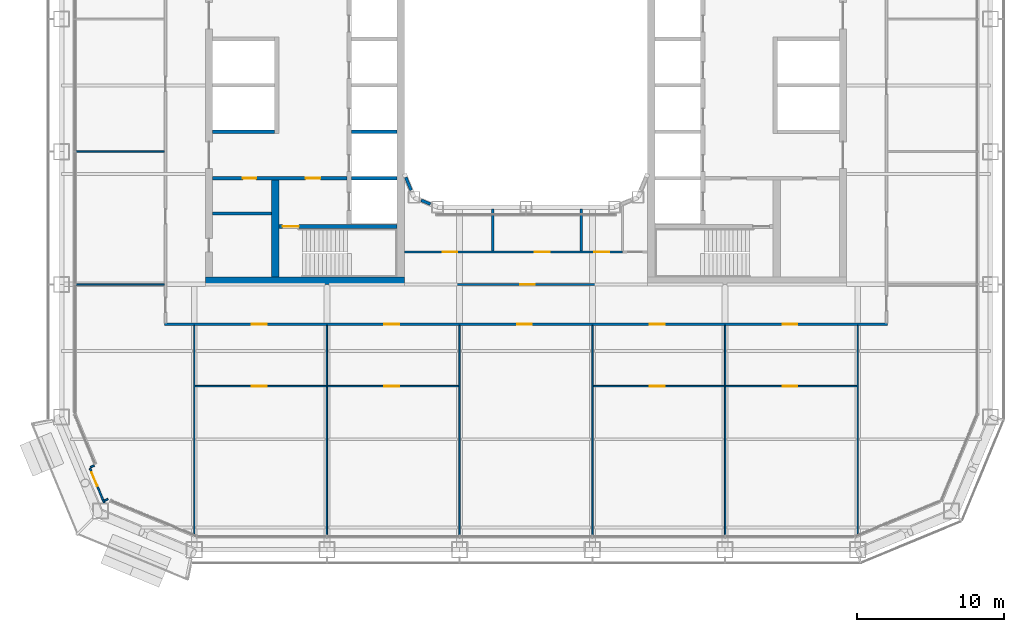
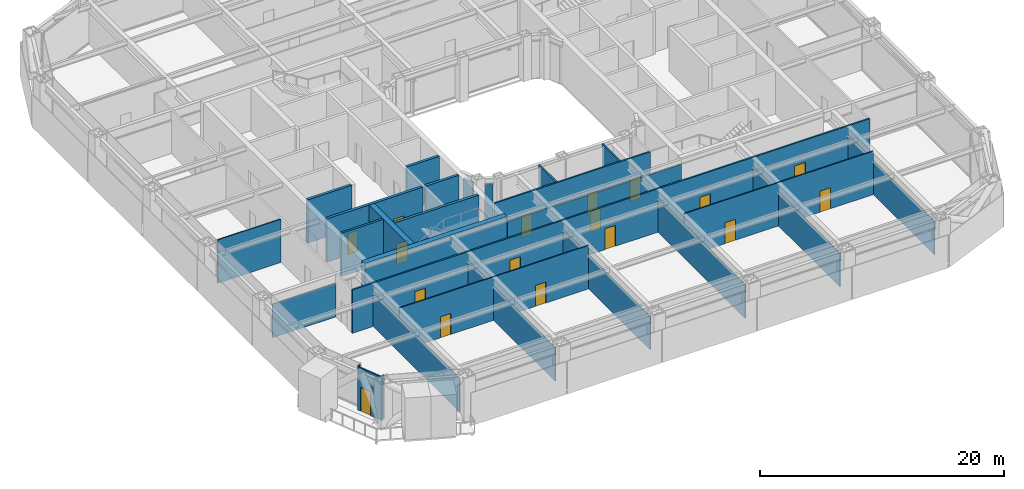
# One storey, part 13 of 27: 30 walls, 17 doors, 17 openings.
"""IFC4 building model written with IfcOpenShell, lengths in metres."""

from ifc_helpers import new_model, si_unit, direction, frame, frame_2d, origin, place, context, subcontext, project, spatial, rectangle, extrude, material, layer, layer_set, type_object, element, fill, save


model = new_model("IFC4")

# Units and contexts
model_context = context("Model", 3, precision=1e-05, world=origin(), true_north=direction((0.0, 1.0)))
body_context = subcontext(model_context, "Body", "Model", "MODEL_VIEW")
ifc_project = project(units=[si_unit("LENGTHUNIT", "METRE"), si_unit("AREAUNIT", "SQUARE_METRE"), si_unit("VOLUMEUNIT", "CUBIC_METRE"), si_unit("PLANEANGLEUNIT", "RADIAN"), si_unit("MASSUNIT", "GRAM", prefix="KILO")], contexts=[model_context])

# Site, building, storey
site_placement = place(None, origin())
site = spatial("IfcSite", under=ifc_project, at=site_placement, CompositionType="ELEMENT")
building_placement = place(site_placement, origin())
building = spatial("IfcBuilding", under=site, at=building_placement, Name="Siwar Civic Tower", CompositionType="ELEMENT")
storey_placement = place(building_placement, frame((0.0, 0.0, 35.699951171875)))
storey = spatial("IfcBuildingStorey", under=building, at=storey_placement, Name="L07", CompositionType="ELEMENT", Elevation=35.699951171875)

# Wall
ifc_material_1 = material(Name="Gypsum board on steel studs", Category="steel")
ifc_layer_1 = layer(ifc_material_1, 0.199951171875)
ifc_layer_set_1 = layer_set([ifc_layer_1], Name="Gypsum board on steel studs")
wall_type_1 = type_object("IfcWallType", Name="CORE-PARTITION-200", PredefinedType="PARTITIONING", material=ifc_layer_set_1)
wall_1_placement = place(storey_placement, frame((-17.25, -8.699951171875, 0.0), z_axis=(0.0, 0.0, 1.0), x_axis=(-1.0, 0.0, 0.0)))
element("IfcWall", 1, at=wall_1_placement, inside=storey, type_object=wall_type_1, Name="Core partition W", PredefinedType="PARTITIONING", context=body_context, shape_type="SweptSolid", body=[
    extrude(rectangle(XDim=4.0, YDim=0.199951171875, at=frame_2d((2.0, 0.0))), origin(), (0.0, 0.0, 1.0), 4.35009765625),
])

# Wall, openings, doors
ifc_material_2 = material(Name="Concrete C60/75", Category="concrete")
ifc_layer_2 = layer(ifc_material_2, 0.25)
ifc_layer_set_2 = layer_set([ifc_layer_2], Name="Concrete C60/75")
wall_type_2 = type_object("IfcWallType", Name="CORE-WALL-RC250", PredefinedType="SHEAR", material=ifc_layer_set_2)
wall_2_placement = place(storey_placement, frame((-12.14990234375, -6.300048828125, 0.0), z_axis=(0.0, 0.0, 1.0), x_axis=(-1.0, 0.0, 0.0)))
wall_2 = element("IfcWall", 2, at=wall_2_placement, inside=storey, type_object=wall_type_2, Name="Core wall W", PredefinedType="SHEAR", context=body_context, shape_type="SweptSolid", body=[
    extrude(rectangle(XDim=9.10009765625, YDim=0.25, at=frame_2d((4.550048828125, 0.0))), origin(), (0.0, 0.0, 1.0), 4.35009765625),
])
opening_1_placement = place(wall_2_placement, frame((1.800048828125, 0.0, 0.0)))
opening_1 = element("IfcOpeningElement", 3, at=opening_1_placement, cuts=wall_2, Name="Opening L07-CW02", PredefinedType="OPENING", context=body_context, shape_type="SweptSolid", body=[
    extrude(rectangle(XDim=1.0, YDim=2.10009765625, at=frame_2d((0.5, 1.050048828125))), frame((0.0, 0.135009765625, 0.0), z_axis=(0.0, -1.0, 0.0), x_axis=(1.0, 0.0, 0.0)), (0.0, 0.0, 1.0), 0.27001953125),
])
opening_2_placement = place(wall_2_placement, frame((6.14990234375, 0.0, 0.0)))
opening_2 = element("IfcOpeningElement", 4, at=opening_2_placement, cuts=wall_2, Name="Opening L07-CW14", PredefinedType="OPENING", context=body_context, shape_type="SweptSolid", body=[
    extrude(rectangle(XDim=0.89990234375, YDim=2.10009765625, at=frame_2d((0.449951171875, 1.050048828125))), frame((0.0, 0.135009765625, 0.0), z_axis=(0.0, -1.0, 0.0), x_axis=(1.0, 0.0, 0.0)), (0.0, 0.0, 1.0), 0.27001953125),
])
ifc_material_3 = material(Name="Steel door leaf", Category="steel")
door_type_1 = type_object("IfcDoorType", Name="CORE-DOOR-FD30S", OperationType="SINGLE_SWING_LEFT", PredefinedType="DOOR", material=ifc_material_3)
door_1_placement = place(opening_1_placement, origin())
door_1 = element("IfcDoor", 5, at=door_1_placement, inside=storey, type_object=door_type_1, Name="Service lobby door L07-CW02", OperationType="SINGLE_SWING_RIGHT", OverallHeight=2.10009765625, OverallWidth=1.0, PredefinedType="DOOR", context=body_context, shape_type="SweptSolid", body=[
    extrude(rectangle(XDim=1.0, YDim=2.10009765625, at=frame_2d((0.5, 1.050048828125))), frame((0.0, 0.02490234375, 0.0), z_axis=(0.0, -1.0, 0.0), x_axis=(1.0, 0.0, 0.0)), (0.0, 0.0, 1.0), 0.050048828125),
])
fill(opening_1, door_1)
ifc_material_4 = material(Name="Steel door leaf", Category="steel")
door_type_2 = type_object("IfcDoorType", Name="CORE-DOOR-ROOM", OperationType="SINGLE_SWING_LEFT", PredefinedType="DOOR", material=ifc_material_4)
door_2_placement = place(opening_2_placement, origin())
door_2 = element("IfcDoor", 6, at=door_2_placement, inside=storey, type_object=door_type_2, Name="Core room door L07-CW14", OperationType="SINGLE_SWING_RIGHT", OverallHeight=2.10009765625, OverallWidth=0.89990234375, PredefinedType="DOOR", context=body_context, shape_type="SweptSolid", body=[
    extrude(rectangle(XDim=0.89990234375, YDim=2.10009765625, at=frame_2d((0.449951171875, 1.050048828125))), frame((0.0, 0.02490234375, 0.0), z_axis=(0.0, -1.0, 0.0), x_axis=(1.0, 0.0, 0.0)), (0.0, 0.0, 1.0), 0.050048828125),
])
fill(opening_2, door_2)

# Walls
wall_3_placement = place(storey_placement, frame((-17.050048828125, -3.14990234375, 0.0), z_axis=(0.0, 0.0, 1.0), x_axis=(-1.0, 0.0, 0.0)))
element("IfcWall", 7, at=wall_3_placement, inside=storey, type_object=wall_type_2, Name="Core wall W", PredefinedType="SHEAR", context=body_context, shape_type="SweptSolid", body=[
    extrude(rectangle(XDim=4.199951171875, YDim=0.25, at=frame_2d((2.10009765625, 0.0))), origin(), (0.0, 0.0, 1.0), 4.35009765625),
])
for number, where, z_axis, x_axis, name in (
    (8, (-8.75, -3.14990234375, 0.0), (0.0, 0.0, 1.0), (-1.0, 0.0, 0.0), "Core wall W"),
    (9, (-8.75, -6.300048828125, 0.0), (0.0, 0.0, 1.0), (-1.0, 0.0, 0.0), "Core wall W"),
):
    element("IfcWall", number, at=place(storey_placement, frame(where, z_axis=z_axis, x_axis=x_axis)), inside=storey, type_object=wall_type_2, Name=name, PredefinedType="SHEAR", context=body_context, shape_type="SweptSolid", body=[
        extrude(rectangle(XDim=3.10009765625, YDim=0.25, at=frame_2d((1.550048828125, 0.0))), origin(), (0.0, 0.0, 1.0), 4.35009765625),
    ])

# Wall, opening, door
wall_4_placement = place(storey_placement, frame((-8.75, -9.574951171875, 0.0), z_axis=(0.0, 0.0, 1.0), x_axis=(-1.0, 0.0, 0.0)))
wall_4 = element("IfcWall", 10, at=wall_4_placement, inside=storey, type_object=wall_type_2, Name="Core wall W", PredefinedType="SHEAR", context=body_context, shape_type="SweptSolid", body=[
    extrude(rectangle(XDim=8.0, YDim=0.25, at=frame_2d((4.0, 0.0))), origin(), (0.0, 0.0, 1.0), 4.35009765625),
])
opening_3_placement = place(wall_4_placement, frame((6.64990234375, 0.0, 0.0)))
opening_3 = element("IfcOpeningElement", 11, at=opening_3_placement, cuts=wall_4, Name="Opening L07-CW04", PredefinedType="OPENING", context=body_context, shape_type="SweptSolid", body=[
    extrude(rectangle(XDim=1.10009765625, YDim=2.10009765625, at=frame_2d((0.550048828125, 1.050048828125))), frame((0.0, 0.135009765625, 0.0), z_axis=(0.0, -1.0, 0.0), x_axis=(1.0, 0.0, 0.0)), (0.0, 0.0, 1.0), 0.27001953125),
])
ifc_material_5 = material(Name="Steel door leaf", Category="steel")
door_type_3 = type_object("IfcDoorType", Name="CORE-DOOR-FD60S", OperationType="SINGLE_SWING_LEFT", PredefinedType="DOOR", material=ifc_material_5)
door_3_placement = place(opening_3_placement, origin())
door_3 = element("IfcDoor", 12, at=door_3_placement, inside=storey, type_object=door_type_3, Name="Stair door L07-CW04", OperationType="SINGLE_SWING_LEFT", OverallHeight=2.10009765625, OverallWidth=1.10009765625, PredefinedType="DOOR", context=body_context, shape_type="SweptSolid", body=[
    extrude(rectangle(XDim=1.10009765625, YDim=2.10009765625, at=frame_2d((0.550048828125, 1.050048828125))), frame((0.0, 0.02490234375, 0.0), z_axis=(0.0, -1.0, 0.0), x_axis=(1.0, 0.0, 0.0)), (0.0, 0.0, 1.0), 0.050048828125),
])
fill(opening_3, door_3)

# Walls
ifc_material_6 = material(Name="Concrete C60/75", Category="concrete")
ifc_layer_3 = layer(ifc_material_6, 0.5)
ifc_layer_set_3 = layer_set([ifc_layer_3], Name="Concrete C60/75")
wall_type_3 = type_object("IfcWallType", Name="CORE-WALL-RC500", PredefinedType="SHEAR", material=ifc_layer_set_3)
wall_5_placement = place(storey_placement, frame((-17.0, -13.0, 0.0), z_axis=(0.0, 0.0, 1.0), x_axis=(0.0, 1.0, 0.0)))
element("IfcWall", 13, at=wall_5_placement, inside=storey, type_object=wall_type_3, Name="Core wall W", PredefinedType="SHEAR", context=body_context, shape_type="SweptSolid", body=[
    extrude(rectangle(XDim=6.574951171875, YDim=0.5, at=frame_2d((3.28759765625, 0.0))), origin(), (0.0, 0.0, 1.0), 4.35009765625),
])
wall_6_placement = place(storey_placement, frame((-8.25, -13.25, 0.0), z_axis=(0.0, 0.0, 1.0), x_axis=(-1.0, 0.0, 0.0)))
element("IfcWall", 14, at=wall_6_placement, inside=storey, type_object=wall_type_3, Name="Core wall W", PredefinedType="SHEAR", context=body_context, shape_type="SweptSolid", body=[
    extrude(rectangle(XDim=13.5, YDim=0.5, at=frame_2d((6.75, 0.0))), origin(), (0.0, 0.0, 1.0), 4.35009765625),
])

# Wall, openings, doors
ifc_material_7 = material(Name="Gypsum board on steel studs", Category="steel")
ifc_layer_4 = layer(ifc_material_7, 0.14990234375)
ifc_layer_set_4 = layer_set([ifc_layer_4], Name="Gypsum board on steel studs")
wall_type_4 = type_object("IfcWallType", Name="CORRIDOR PARTITION 150 EI 30", PredefinedType="PARTITIONING", material=ifc_layer_set_4)
wall_7_placement = place(storey_placement, frame((-24.52490234375, -16.199951171875, 0.0), z_axis=(0.0, 0.0, 1.0), x_axis=(1.0, 0.0, 0.0)))
wall_7 = element("IfcWall", 15, at=wall_7_placement, inside=storey, type_object=wall_type_4, Name="L07/wall/P03", PredefinedType="PARTITIONING", context=body_context, shape_type="SweptSolid", body=[
    extrude(rectangle(XDim=49.0498046875, YDim=0.14990234375, at=frame_2d((24.52490234375, 0.0))), origin(), (0.0, 0.0, 1.0), 4.35009765625),
])
opening_4_placement = place(wall_7_placement, frame((5.925048828125, 0.0, 0.0)))
opening_4 = element("IfcOpeningElement", 16, at=opening_4_placement, cuts=wall_7, Name="Opening D1", PredefinedType="OPENING", context=body_context, shape_type="SweptSolid", body=[
    extrude(rectangle(XDim=1.0, YDim=2.10009765625, at=frame_2d((0.5, 1.050048828125))), frame((0.0, 0.0849609375, 0.0), z_axis=(0.0, -1.0, 0.0), x_axis=(1.0, 0.0, 0.0)), (0.0, 0.0, 1.0), 0.169921875),
])
opening_5_placement = place(wall_7_placement, frame((14.925048828125, 0.0, 0.0)))
opening_5 = element("IfcOpeningElement", 17, at=opening_5_placement, cuts=wall_7, Name="Opening D1", PredefinedType="OPENING", context=body_context, shape_type="SweptSolid", body=[
    extrude(rectangle(XDim=1.0, YDim=2.10009765625, at=frame_2d((0.5, 1.050048828125))), frame((0.0, 0.0849609375, 0.0), z_axis=(0.0, -1.0, 0.0), x_axis=(1.0, 0.0, 0.0)), (0.0, 0.0, 1.0), 0.169921875),
])
opening_6_placement = place(wall_7_placement, frame((23.925048828125, 0.0, 0.0)))
opening_6 = element("IfcOpeningElement", 18, at=opening_6_placement, cuts=wall_7, Name="Opening D1", PredefinedType="OPENING", context=body_context, shape_type="SweptSolid", body=[
    extrude(rectangle(XDim=1.0, YDim=2.10009765625, at=frame_2d((0.5, 1.050048828125))), frame((0.0, 0.0849609375, 0.0), z_axis=(0.0, -1.0, 0.0), x_axis=(1.0, 0.0, 0.0)), (0.0, 0.0, 1.0), 0.169921875),
])
opening_7_placement = place(wall_7_placement, frame((32.925048828125, 0.0, 0.0)))
opening_7 = element("IfcOpeningElement", 19, at=opening_7_placement, cuts=wall_7, Name="Opening D1", PredefinedType="OPENING", context=body_context, shape_type="SweptSolid", body=[
    extrude(rectangle(XDim=1.0, YDim=2.10009765625, at=frame_2d((0.5, 1.050048828125))), frame((0.0, 0.0849609375, 0.0), z_axis=(0.0, -1.0, 0.0), x_axis=(1.0, 0.0, 0.0)), (0.0, 0.0, 1.0), 0.169921875),
])
opening_8_placement = place(wall_7_placement, frame((41.925048828125, 0.0, 0.0)))
opening_8 = element("IfcOpeningElement", 20, at=opening_8_placement, cuts=wall_7, Name="Opening D1", PredefinedType="OPENING", context=body_context, shape_type="SweptSolid", body=[
    extrude(rectangle(XDim=1.0, YDim=2.10009765625, at=frame_2d((0.5, 1.050048828125))), frame((0.0, 0.0849609375, 0.0), z_axis=(0.0, -1.0, 0.0), x_axis=(1.0, 0.0, 0.0)), (0.0, 0.0, 1.0), 0.169921875),
])
ifc_material_8 = material(Name="Timber, painted", Category="wood")
door_type_4 = type_object("IfcDoorType", Name="DOOR 1000 X 2100 FD30", OperationType="SINGLE_SWING_LEFT", PredefinedType="DOOR", material=ifc_material_8)
door_4_placement = place(opening_4_placement, origin())
door_4 = element("IfcDoor", 21, at=door_4_placement, inside=storey, type_object=door_type_4, Name="L07-D11", OperationType="SINGLE_SWING_LEFT", OverallHeight=2.10009765625, OverallWidth=1.0, PredefinedType="DOOR", context=body_context, shape_type="SweptSolid", body=[
    extrude(rectangle(XDim=1.0, YDim=2.10009765625, at=frame_2d((0.5, 1.050048828125))), frame((0.0, 0.02490234375, 0.0), z_axis=(0.0, -1.0, 0.0), x_axis=(1.0, 0.0, 0.0)), (0.0, 0.0, 1.0), 0.050048828125),
])
fill(opening_4, door_4)
door_5_placement = place(opening_5_placement, origin())
door_5 = element("IfcDoor", 22, at=door_5_placement, inside=storey, type_object=door_type_4, Name="L07-D13", OperationType="SINGLE_SWING_LEFT", OverallHeight=2.10009765625, OverallWidth=1.0, PredefinedType="DOOR", context=body_context, shape_type="SweptSolid", body=[
    extrude(rectangle(XDim=1.0, YDim=2.10009765625, at=frame_2d((0.5, 1.050048828125))), frame((0.0, 0.02490234375, 0.0), z_axis=(0.0, -1.0, 0.0), x_axis=(1.0, 0.0, 0.0)), (0.0, 0.0, 1.0), 0.050048828125),
])
fill(opening_5, door_5)
door_6_placement = place(opening_6_placement, origin())
door_6 = element("IfcDoor", 23, at=door_6_placement, inside=storey, type_object=door_type_4, Name="L07-D15", OperationType="SINGLE_SWING_LEFT", OverallHeight=2.10009765625, OverallWidth=1.0, PredefinedType="DOOR", context=body_context, shape_type="SweptSolid", body=[
    extrude(rectangle(XDim=1.0, YDim=2.10009765625, at=frame_2d((0.5, 1.050048828125))), frame((0.0, 0.02490234375, 0.0), z_axis=(0.0, -1.0, 0.0), x_axis=(1.0, 0.0, 0.0)), (0.0, 0.0, 1.0), 0.050048828125),
])
fill(opening_6, door_6)
door_7_placement = place(opening_7_placement, origin())
door_7 = element("IfcDoor", 24, at=door_7_placement, inside=storey, type_object=door_type_4, Name="L07-D16", OperationType="SINGLE_SWING_RIGHT", OverallHeight=2.10009765625, OverallWidth=1.0, PredefinedType="DOOR", context=body_context, shape_type="SweptSolid", body=[
    extrude(rectangle(XDim=1.0, YDim=2.10009765625, at=frame_2d((0.5, 1.050048828125))), frame((0.0, 0.02490234375, 0.0), z_axis=(0.0, -1.0, 0.0), x_axis=(1.0, 0.0, 0.0)), (0.0, 0.0, 1.0), 0.050048828125),
])
fill(opening_7, door_7)
door_8_placement = place(opening_8_placement, origin())
door_8 = element("IfcDoor", 25, at=door_8_placement, inside=storey, type_object=door_type_4, Name="L07-D18", OperationType="SINGLE_SWING_RIGHT", OverallHeight=2.10009765625, OverallWidth=1.0, PredefinedType="DOOR", context=body_context, shape_type="SweptSolid", body=[
    extrude(rectangle(XDim=1.0, YDim=2.10009765625, at=frame_2d((0.5, 1.050048828125))), frame((0.0, 0.02490234375, 0.0), z_axis=(0.0, -1.0, 0.0), x_axis=(1.0, 0.0, 0.0)), (0.0, 0.0, 1.0), 0.050048828125),
])
fill(opening_8, door_8)

# Wall, opening, door
wall_8_placement = place(storey_placement, frame((-8.25, -13.5, 0.0), z_axis=(0.0, 0.0, 1.0), x_axis=(1.0, 0.0, 0.0)))
wall_8 = element("IfcWall", 26, at=wall_8_placement, inside=storey, type_object=wall_type_4, Name="L07/wall/P06", PredefinedType="PARTITIONING", context=body_context, shape_type="SweptSolid", body=[
    extrude(rectangle(XDim=16.5, YDim=0.14990234375, at=frame_2d((8.25, 0.0))), origin(), (0.0, 0.0, 1.0), 3.85009765625),
])
opening_9_placement = place(wall_8_placement, frame((7.85009765625, 0.0, 0.0)))
opening_9 = element("IfcOpeningElement", 27, at=opening_9_placement, cuts=wall_8, Name="Opening D1", PredefinedType="OPENING", context=body_context, shape_type="SweptSolid", body=[
    extrude(rectangle(XDim=1.0, YDim=2.10009765625, at=frame_2d((0.5, 1.050048828125))), frame((0.0, 0.0849609375, 0.0), z_axis=(0.0, -1.0, 0.0), x_axis=(1.0, 0.0, 0.0)), (0.0, 0.0, 1.0), 0.169921875),
])
door_9_placement = place(opening_9_placement, origin())
door_9 = element("IfcDoor", 28, at=door_9_placement, inside=storey, type_object=door_type_4, Name="L07-D33", OperationType="SINGLE_SWING_LEFT", OverallHeight=2.10009765625, OverallWidth=1.0, PredefinedType="DOOR", context=body_context, shape_type="SweptSolid", body=[
    extrude(rectangle(XDim=1.0, YDim=2.10009765625, at=frame_2d((0.5, 1.050048828125))), frame((0.0, 0.02490234375, 0.0), z_axis=(0.0, -1.0, 0.0), x_axis=(1.0, 0.0, 0.0)), (0.0, 0.0, 1.0), 0.050048828125),
])
fill(opening_9, door_9)

# Wall, openings, doors
wall_9_placement = place(storey_placement, frame((-8.25, -11.300048828125, 0.0), z_axis=(0.0, 0.0, 1.0), x_axis=(1.0, 0.0, 0.0)))
wall_9 = element("IfcWall", 29, at=wall_9_placement, inside=storey, type_object=wall_type_4, Name="L07/wall/P07", PredefinedType="PARTITIONING", context=body_context, shape_type="SweptSolid", body=[
    extrude(rectangle(XDim=14.7900390625, YDim=0.14990234375, at=frame_2d((7.39501953125, 0.0))), origin(), (0.0, 0.0, 1.0), 4.35009765625),
])
opening_10_placement = place(wall_9_placement, frame((2.60009765625, 0.0, 0.0)))
opening_10 = element("IfcOpeningElement", 30, at=opening_10_placement, cuts=wall_9, Name="Opening D3", PredefinedType="OPENING", context=body_context, shape_type="SweptSolid", body=[
    extrude(rectangle(XDim=1.0, YDim=2.10009765625, at=frame_2d((0.5, 1.050048828125))), frame((0.0, 0.0849609375, 0.0), z_axis=(0.0, -1.0, 0.0), x_axis=(1.0, 0.0, 0.0)), (0.0, 0.0, 1.0), 0.169921875),
])
opening_11_placement = place(wall_9_placement, frame((8.85009765625, 0.0, 0.0)))
opening_11 = element("IfcOpeningElement", 31, at=opening_11_placement, cuts=wall_9, Name="Opening D3", PredefinedType="OPENING", context=body_context, shape_type="SweptSolid", body=[
    extrude(rectangle(XDim=1.0, YDim=2.10009765625, at=frame_2d((0.5, 1.050048828125))), frame((0.0, 0.0849609375, 0.0), z_axis=(0.0, -1.0, 0.0), x_axis=(1.0, 0.0, 0.0)), (0.0, 0.0, 1.0), 0.169921875),
])
opening_12_placement = place(wall_9_placement, frame((12.889892578125, 0.0, 0.0)))
opening_12 = element("IfcOpeningElement", 32, at=opening_12_placement, cuts=wall_9, Name="Opening D3", PredefinedType="OPENING", context=body_context, shape_type="SweptSolid", body=[
    extrude(rectangle(XDim=1.0, YDim=2.10009765625, at=frame_2d((0.5, 1.050048828125))), frame((0.0, 0.0849609375, 0.0), z_axis=(0.0, -1.0, 0.0), x_axis=(1.0, 0.0, 0.0)), (0.0, 0.0, 1.0), 0.169921875),
])
ifc_material_9 = material(Name="Timber, painted", Category="wood")
door_type_5 = type_object("IfcDoorType", Name="DOOR 1000 X 2100 WC", OperationType="SINGLE_SWING_LEFT", PredefinedType="DOOR", material=ifc_material_9)
door_10_placement = place(opening_10_placement, origin())
door_10 = element("IfcDoor", 33, at=door_10_placement, inside=storey, type_object=door_type_5, Name="L07-D34", OperationType="SINGLE_SWING_RIGHT", OverallHeight=2.10009765625, OverallWidth=1.0, PredefinedType="DOOR", context=body_context, shape_type="SweptSolid", body=[
    extrude(rectangle(XDim=1.0, YDim=2.10009765625, at=frame_2d((0.5, 1.050048828125))), frame((0.0, 0.02490234375, 0.0), z_axis=(0.0, -1.0, 0.0), x_axis=(1.0, 0.0, 0.0)), (0.0, 0.0, 1.0), 0.050048828125),
])
fill(opening_10, door_10)
door_11_placement = place(opening_11_placement, origin())
door_11 = element("IfcDoor", 34, at=door_11_placement, inside=storey, type_object=door_type_5, Name="L07-D35", OperationType="SINGLE_SWING_LEFT", OverallHeight=2.10009765625, OverallWidth=1.0, PredefinedType="DOOR", context=body_context, shape_type="SweptSolid", body=[
    extrude(rectangle(XDim=1.0, YDim=2.10009765625, at=frame_2d((0.5, 1.050048828125))), frame((0.0, 0.02490234375, 0.0), z_axis=(0.0, -1.0, 0.0), x_axis=(1.0, 0.0, 0.0)), (0.0, 0.0, 1.0), 0.050048828125),
])
fill(opening_11, door_11)
door_12_placement = place(opening_12_placement, origin())
door_12 = element("IfcDoor", 35, at=door_12_placement, inside=storey, type_object=door_type_5, Name="L07-D36", OperationType="SINGLE_SWING_RIGHT", OverallHeight=2.10009765625, OverallWidth=1.0, PredefinedType="DOOR", context=body_context, shape_type="SweptSolid", body=[
    extrude(rectangle(XDim=1.0, YDim=2.10009765625, at=frame_2d((0.5, 1.050048828125))), frame((0.0, 0.02490234375, 0.0), z_axis=(0.0, -1.0, 0.0), x_axis=(1.0, 0.0, 0.0)), (0.0, 0.0, 1.0), 0.050048828125),
])
fill(opening_12, door_12)

# Walls
for number, where, z_axis, x_axis, name in (
    (36, (-2.25, -11.22509765625, 0.0), (0.0, 0.0, 1.0), (0.0, 1.0, 0.0), "L07/wall/P31"),
    (37, (3.75, -11.22509765625, 0.0), (0.0, 0.0, 1.0), (0.0, 1.0, 0.0), "L07/wall/P32"),
):
    element("IfcWall", number, at=place(storey_placement, frame(where, z_axis=z_axis, x_axis=x_axis)), inside=storey, type_object=wall_type_4, Name=name, PredefinedType="PARTITIONING", context=body_context, shape_type="SweptSolid", body=[
        extrude(rectangle(XDim=2.85498046875, YDim=0.14990234375, at=frame_2d((1.427490234375, 0.0))), origin(), (0.0, 0.0, 1.0), 4.35009765625),
    ])
ifc_material_10 = material(Name="Aluminium clad insulated panel", Category="aluminium")
ifc_layer_5 = layer(ifc_material_10, 0.1201171875)
ifc_layer_set_5 = layer_set([ifc_layer_5], Name="Aluminium clad insulated panel")
wall_type_5 = type_object("IfcWallType", Name="ENV-WALL-BAL", PredefinedType="STANDARD", material=ifc_layer_set_5)
wall_10_placement = place(storey_placement, frame((-29.284912109375, -25.783447265625, 0.0), z_axis=(0.0, 0.0, 1.0), x_axis=(-0.923772220778, -0.382942403136, 0.0)))
element("IfcWall", 38, at=wall_10_placement, inside=storey, type_object=wall_type_5, Name="Balcony door wall return SW1", PredefinedType="STANDARD", context=body_context, shape_type="SweptSolid", body=[
    extrude(rectangle(XDim=0.27978515625, YDim=0.1201171875, at=frame_2d((0.139892578125, 0.0))), origin(), (0.0, 0.0, 1.0), 4.35009765625),
])
wall_11_placement = place(storey_placement, frame((-28.3427734375, -28.057861328125, 0.0), z_axis=(0.0, 0.0, 1.0), x_axis=(-0.923899985553, -0.382634050621, 0.0)))
element("IfcWall", 39, at=wall_11_placement, inside=storey, type_object=wall_type_5, Name="Balcony door wall return SW1", PredefinedType="STANDARD", context=body_context, shape_type="SweptSolid", body=[
    extrude(rectangle(XDim=0.280029296875, YDim=0.1201171875, at=frame_2d((0.14013671875, 0.0))), origin(), (0.0, 0.0, 1.0), 4.35009765625),
])

# Wall, opening, door
wall_12_placement = place(storey_placement, frame((-29.575927734375, -25.968994140625, 0.0), z_axis=(0.0, 0.0, 1.0), x_axis=(0.382640634603, -0.923897258763, 0.0)))
wall_12 = element("IfcWall", 40, at=wall_12_placement, inside=storey, type_object=wall_type_5, Name="Balcony door wall SW1", PredefinedType="STANDARD", context=body_context, shape_type="SweptSolid", body=[
    extrude(rectangle(XDim=2.5380859375, YDim=0.1201171875, at=frame_2d((1.26904296875, 0.0))), origin(), (0.0, 0.0, 1.0), 4.35009765625),
])
opening_13_placement = place(wall_12_placement, frame((0.300048828125, 0.0, 0.0)))
opening_13 = element("IfcOpeningElement", 41, at=opening_13_placement, cuts=wall_12, Name="Opening D-BAL", PredefinedType="OPENING", context=body_context, shape_type="SweptSolid", body=[
    extrude(rectangle(XDim=1.0, YDim=2.39990234375, at=frame_2d((0.5, 1.199951171875))), frame((0.0, 0.070068359375, 0.0), z_axis=(0.0, -1.0, 0.0), x_axis=(1.0, 0.0, 0.0)), (0.0, 0.0, 1.0), 0.14013671875),
])
ifc_material_11 = material(Name="Aluminium and glass", Category="aluminium")
door_type_6 = type_object("IfcDoorType", Name="ENV-DOOR-BAL", OperationType="SINGLE_SWING_LEFT", PredefinedType="DOOR", material=ifc_material_11)
door_13_placement = place(opening_13_placement, origin())
door_13 = element("IfcDoor", 42, at=door_13_placement, inside=storey, type_object=door_type_6, Name="Balcony door SW", OperationType="SINGLE_SWING_LEFT", OverallHeight=2.39990234375, OverallWidth=1.0, PredefinedType="DOOR", context=body_context, shape_type="SweptSolid", body=[
    extrude(rectangle(XDim=1.0, YDim=2.39990234375, at=frame_2d((0.5, 1.199951171875))), frame((0.0, 0.02490234375, 0.0), z_axis=(0.0, -1.0, 0.0), x_axis=(1.0, 0.0, 0.0)), (0.0, 0.0, 1.0), 0.050048828125),
])
fill(opening_13, door_13)

# Walls
ifc_material_12 = material(Name="Aluminium clad insulated panel", Category="aluminium")
ifc_layer_6 = layer(ifc_material_12, 0.199951171875)
ifc_layer_set_6 = layer_set([ifc_layer_6], Name="Aluminium clad insulated panel")
wall_type_6 = type_object("IfcWallType", Name="ENV-WALL-WELL", PredefinedType="STANDARD", material=ifc_layer_set_6)
wall_13_placement = place(storey_placement, frame((-8.154296875, -6.23095703125, 0.0), z_axis=(0.0, 0.0, 1.0), x_axis=(0.382624318388, -0.923904016107, 0.0)))
element("IfcWall", 43, at=wall_13_placement, inside=storey, type_object=wall_type_6, Name="Light well corner wall SW1", PredefinedType="STANDARD", context=body_context, shape_type="SweptSolid", body=[
    extrude(rectangle(XDim=0.949462890625, YDim=0.199951171875, at=frame_2d((0.474609375, 0.0))), origin(), (0.0, 0.0, 1.0), 3.72998046875),
])
wall_14_placement = place(storey_placement, frame((-7.108154296875, -7.791015625, 0.0), z_axis=(0.0, 0.0, 1.0), x_axis=(0.923854141361, -0.382744726273, 0.0)))
element("IfcWall", 44, at=wall_14_placement, inside=storey, type_object=wall_type_6, Name="Light well corner wall SW2", PredefinedType="STANDARD", context=body_context, shape_type="SweptSolid", body=[
    extrude(rectangle(XDim=0.6767578125, YDim=0.199951171875, at=frame_2d((0.33837890625, 0.0))), origin(), (0.0, 0.0, 1.0), 3.72998046875),
])

# Wall, openings, doors
ifc_material_13 = material(Name="Gypsum board on steel studs", Category="steel")
ifc_layer_7 = layer(ifc_material_13, 0.10009765625)
ifc_layer_set_7 = layer_set([ifc_layer_7], Name="Gypsum board on steel studs")
wall_type_7 = type_object("IfcWallType", Name="PARTITION 100 GYPSUM", PredefinedType="PARTITIONING", material=ifc_layer_set_7)
wall_15_placement = place(storey_placement, frame((-22.449951171875, -20.39990234375, 0.0), z_axis=(0.0, 0.0, 1.0), x_axis=(1.0, 0.0, 0.0)))
wall_15 = element("IfcWall", 45, at=wall_15_placement, inside=storey, type_object=wall_type_7, Name="L07/wall/P01", PredefinedType="PARTITIONING", context=body_context, shape_type="SweptSolid", body=[
    extrude(rectangle(XDim=17.89990234375, YDim=0.10009765625, at=frame_2d((8.949951171875, 0.0))), origin(), (0.0, 0.0, 1.0), 4.35009765625),
])
opening_14_placement = place(wall_15_placement, frame((3.85009765625, 0.0, 0.0)))
opening_14 = element("IfcOpeningElement", 46, at=opening_14_placement, cuts=wall_15, Name="Opening D2", PredefinedType="OPENING", context=body_context, shape_type="SweptSolid", body=[
    extrude(rectangle(XDim=1.0, YDim=2.10009765625, at=frame_2d((0.5, 1.050048828125))), frame((0.0, 0.06005859375, 0.0), z_axis=(0.0, -1.0, 0.0), x_axis=(1.0, 0.0, 0.0)), (0.0, 0.0, 1.0), 0.1201171875),
])
opening_15_placement = place(wall_15_placement, frame((12.85009765625, 0.0, 0.0)))
opening_15 = element("IfcOpeningElement", 47, at=opening_15_placement, cuts=wall_15, Name="Opening D2", PredefinedType="OPENING", context=body_context, shape_type="SweptSolid", body=[
    extrude(rectangle(XDim=1.0, YDim=2.10009765625, at=frame_2d((0.5, 1.050048828125))), frame((0.0, 0.06005859375, 0.0), z_axis=(0.0, -1.0, 0.0), x_axis=(1.0, 0.0, 0.0)), (0.0, 0.0, 1.0), 0.1201171875),
])
ifc_material_14 = material(Name="Timber, painted", Category="wood")
door_type_7 = type_object("IfcDoorType", Name="DOOR 1000 X 2100", OperationType="SINGLE_SWING_LEFT", PredefinedType="DOOR", material=ifc_material_14)
door_14_placement = place(opening_14_placement, origin())
door_14 = element("IfcDoor", 48, at=door_14_placement, inside=storey, type_object=door_type_7, Name="L07-D12", OperationType="SINGLE_SWING_RIGHT", OverallHeight=2.10009765625, OverallWidth=1.0, PredefinedType="DOOR", context=body_context, shape_type="SweptSolid", body=[
    extrude(rectangle(XDim=1.0, YDim=2.10009765625, at=frame_2d((0.5, 1.050048828125))), frame((0.0, 0.02490234375, 0.0), z_axis=(0.0, -1.0, 0.0), x_axis=(1.0, 0.0, 0.0)), (0.0, 0.0, 1.0), 0.050048828125),
])
fill(opening_14, door_14)
door_15_placement = place(opening_15_placement, origin())
door_15 = element("IfcDoor", 49, at=door_15_placement, inside=storey, type_object=door_type_7, Name="L07-D14", OperationType="SINGLE_SWING_RIGHT", OverallHeight=2.10009765625, OverallWidth=1.0, PredefinedType="DOOR", context=body_context, shape_type="SweptSolid", body=[
    extrude(rectangle(XDim=1.0, YDim=2.10009765625, at=frame_2d((0.5, 1.050048828125))), frame((0.0, 0.02490234375, 0.0), z_axis=(0.0, -1.0, 0.0), x_axis=(1.0, 0.0, 0.0)), (0.0, 0.0, 1.0), 0.050048828125),
])
fill(opening_15, door_15)

wall_16_placement = place(storey_placement, frame((4.550048828125, -20.39990234375, 0.0), z_axis=(0.0, 0.0, 1.0), x_axis=(1.0, 0.0, 0.0)))
wall_16 = element("IfcWall", 50, at=wall_16_placement, inside=storey, type_object=wall_type_7, Name="L07/wall/P02", PredefinedType="PARTITIONING", context=body_context, shape_type="SweptSolid", body=[
    extrude(rectangle(XDim=17.89990234375, YDim=0.10009765625, at=frame_2d((8.949951171875, 0.0))), origin(), (0.0, 0.0, 1.0), 4.35009765625),
])
opening_16_placement = place(wall_16_placement, frame((3.85009765625, 0.0, 0.0)))
opening_16 = element("IfcOpeningElement", 51, at=opening_16_placement, cuts=wall_16, Name="Opening D2", PredefinedType="OPENING", context=body_context, shape_type="SweptSolid", body=[
    extrude(rectangle(XDim=1.0, YDim=2.10009765625, at=frame_2d((0.5, 1.050048828125))), frame((0.0, 0.06005859375, 0.0), z_axis=(0.0, -1.0, 0.0), x_axis=(1.0, 0.0, 0.0)), (0.0, 0.0, 1.0), 0.1201171875),
])
opening_17_placement = place(wall_16_placement, frame((12.85009765625, 0.0, 0.0)))
opening_17 = element("IfcOpeningElement", 52, at=opening_17_placement, cuts=wall_16, Name="Opening D2", PredefinedType="OPENING", context=body_context, shape_type="SweptSolid", body=[
    extrude(rectangle(XDim=1.0, YDim=2.10009765625, at=frame_2d((0.5, 1.050048828125))), frame((0.0, 0.06005859375, 0.0), z_axis=(0.0, -1.0, 0.0), x_axis=(1.0, 0.0, 0.0)), (0.0, 0.0, 1.0), 0.1201171875),
])
door_16_placement = place(opening_16_placement, origin())
door_16 = element("IfcDoor", 53, at=door_16_placement, inside=storey, type_object=door_type_7, Name="L07-D17", OperationType="SINGLE_SWING_LEFT", OverallHeight=2.10009765625, OverallWidth=1.0, PredefinedType="DOOR", context=body_context, shape_type="SweptSolid", body=[
    extrude(rectangle(XDim=1.0, YDim=2.10009765625, at=frame_2d((0.5, 1.050048828125))), frame((0.0, 0.02490234375, 0.0), z_axis=(0.0, -1.0, 0.0), x_axis=(1.0, 0.0, 0.0)), (0.0, 0.0, 1.0), 0.050048828125),
])
fill(opening_16, door_16)
door_17_placement = place(opening_17_placement, origin())
door_17 = element("IfcDoor", 54, at=door_17_placement, inside=storey, type_object=door_type_7, Name="L07-D19", OperationType="SINGLE_SWING_LEFT", OverallHeight=2.10009765625, OverallWidth=1.0, PredefinedType="DOOR", context=body_context, shape_type="SweptSolid", body=[
    extrude(rectangle(XDim=1.0, YDim=2.10009765625, at=frame_2d((0.5, 1.050048828125))), frame((0.0, 0.02490234375, 0.0), z_axis=(0.0, -1.0, 0.0), x_axis=(1.0, 0.0, 0.0)), (0.0, 0.0, 1.0), 0.050048828125),
])
fill(opening_17, door_17)

# Walls
wall_17_placement = place(storey_placement, frame((-30.510009765625, -13.5, 0.0), z_axis=(0.0, 0.0, 1.0), x_axis=(1.0, 0.0, 0.0)))
element("IfcWall", 55, at=wall_17_placement, inside=storey, type_object=wall_type_7, Name="L07/wall/P04", PredefinedType="PARTITIONING", context=body_context, shape_type="SweptSolid", body=[
    extrude(rectangle(XDim=5.985107421875, YDim=0.10009765625, at=frame_2d((2.99267578125, 0.0))), origin(), (0.0, 0.0, 1.0), 3.35009765625),
])
wall_18_placement = place(storey_placement, frame((-30.510009765625, -4.5, 0.0), z_axis=(0.0, 0.0, 1.0), x_axis=(1.0, 0.0, 0.0)))
element("IfcWall", 56, at=wall_18_placement, inside=storey, type_object=wall_type_7, Name="L07/wall/P09", PredefinedType="PARTITIONING", context=body_context, shape_type="SweptSolid", body=[
    extrude(rectangle(XDim=5.985107421875, YDim=0.10009765625, at=frame_2d((2.99267578125, 0.0))), origin(), (0.0, 0.0, 1.0), 4.35009765625),
])
wall_19_placement = place(storey_placement, frame((-22.5, -30.427978515625, 0.0), z_axis=(0.0, 0.0, 1.0), x_axis=(0.0, 1.0, 0.0)))
element("IfcWall", 57, at=wall_19_placement, inside=storey, type_object=wall_type_7, Name="L07/wall/P23", PredefinedType="PARTITIONING", context=body_context, shape_type="SweptSolid", body=[
    extrude(rectangle(XDim=14.153076171875, YDim=0.10009765625, at=frame_2d((7.07666015625, 0.0))), origin(), (0.0, 0.0, 1.0), 3.35009765625),
])
wall_20_placement = place(storey_placement, frame((-13.5, -30.510009765625, 0.0), z_axis=(0.0, 0.0, 1.0), x_axis=(0.0, 1.0, 0.0)))
element("IfcWall", 58, at=wall_20_placement, inside=storey, type_object=wall_type_7, Name="L07/wall/P25", PredefinedType="PARTITIONING", context=body_context, shape_type="SweptSolid", body=[
    extrude(rectangle(XDim=10.06005859375, YDim=0.10009765625, at=frame_2d((5.030029296875, 0.0))), origin(), (0.0, 0.0, 1.0), 3.35009765625),
])
wall_21_placement = place(storey_placement, frame((-13.5, -20.35009765625, 0.0), z_axis=(0.0, 0.0, 1.0), x_axis=(0.0, 1.0, 0.0)))
element("IfcWall", 59, at=wall_21_placement, inside=storey, type_object=wall_type_7, Name="L07/wall/P26", PredefinedType="PARTITIONING", context=body_context, shape_type="SweptSolid", body=[
    extrude(rectangle(XDim=4.0751953125, YDim=0.10009765625, at=frame_2d((2.03759765625, 0.0))), origin(), (0.0, 0.0, 1.0), 3.35009765625),
])
for number, where, z_axis, x_axis, name in (
    (60, (-4.5, -30.510009765625, 0.0), (0.0, 0.0, 1.0), (0.0, 1.0, 0.0), "L07/wall/P28"),
    (61, (4.5, -30.510009765625, 0.0), (0.0, 0.0, 1.0), (0.0, 1.0, 0.0), "L07/wall/P33"),
):
    element("IfcWall", number, at=place(storey_placement, frame(where, z_axis=z_axis, x_axis=x_axis)), inside=storey, type_object=wall_type_7, Name=name, PredefinedType="PARTITIONING", context=body_context, shape_type="SweptSolid", body=[
        extrude(rectangle(XDim=14.235107421875, YDim=0.10009765625, at=frame_2d((7.11767578125, 0.0))), origin(), (0.0, 0.0, 1.0), 3.35009765625),
    ])
wall_22_placement = place(storey_placement, frame((13.5, -30.510009765625, 0.0), z_axis=(0.0, 0.0, 1.0), x_axis=(0.0, 1.0, 0.0)))
element("IfcWall", 62, at=wall_22_placement, inside=storey, type_object=wall_type_7, Name="L07/wall/P36", PredefinedType="PARTITIONING", context=body_context, shape_type="SweptSolid", body=[
    extrude(rectangle(XDim=10.06005859375, YDim=0.10009765625, at=frame_2d((5.030029296875, 0.0))), origin(), (0.0, 0.0, 1.0), 3.35009765625),
])
wall_23_placement = place(storey_placement, frame((13.5, -20.35009765625, 0.0), z_axis=(0.0, 0.0, 1.0), x_axis=(0.0, 1.0, 0.0)))
element("IfcWall", 63, at=wall_23_placement, inside=storey, type_object=wall_type_7, Name="L07/wall/P37", PredefinedType="PARTITIONING", context=body_context, shape_type="SweptSolid", body=[
    extrude(rectangle(XDim=4.0751953125, YDim=0.10009765625, at=frame_2d((2.03759765625, 0.0))), origin(), (0.0, 0.0, 1.0), 3.35009765625),
])
wall_24_placement = place(storey_placement, frame((22.5, -30.427978515625, 0.0), z_axis=(0.0, 0.0, 1.0), x_axis=(0.0, 1.0, 0.0)))
element("IfcWall", 64, at=wall_24_placement, inside=storey, type_object=wall_type_7, Name="L07/wall/P40", PredefinedType="PARTITIONING", context=body_context, shape_type="SweptSolid", body=[
    extrude(rectangle(XDim=14.153076171875, YDim=0.10009765625, at=frame_2d((7.07666015625, 0.0))), origin(), (0.0, 0.0, 1.0), 3.35009765625),
])

save(model, "model.ifc")
